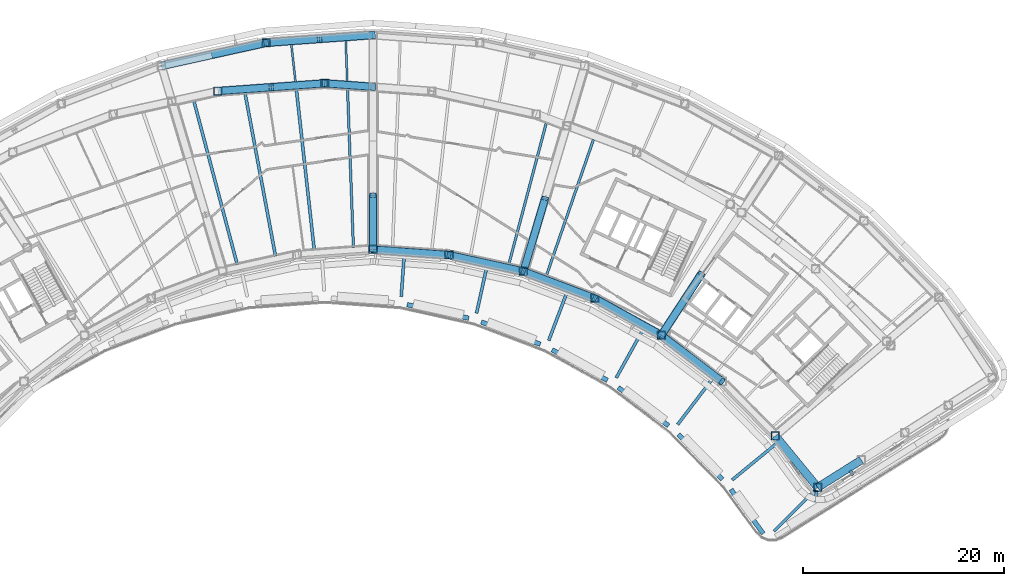
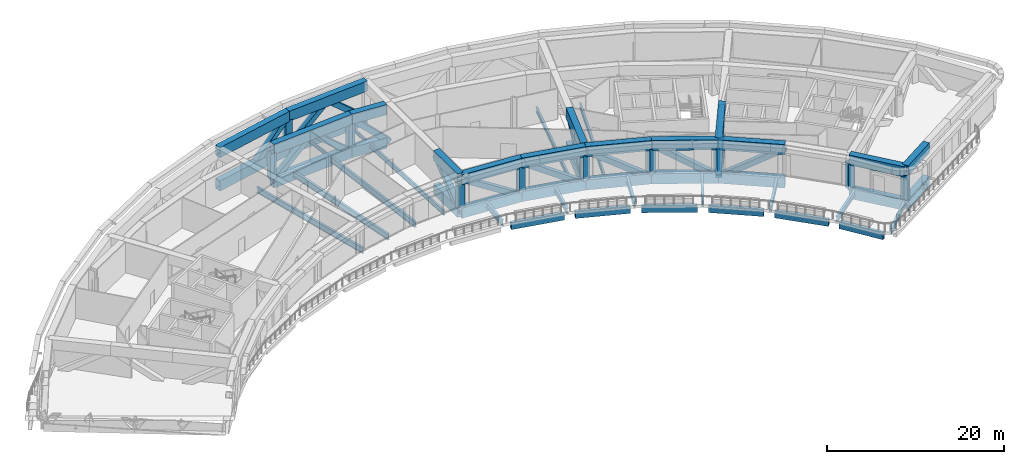
# One storey, part 3 of 25: 51 beams, 24 members.
"""IFC4 building model written with IfcOpenShell, lengths in metres."""

from ifc_helpers import new_model, si_unit, direction, frame, origin, origin_2d, place, context, subcontext, project, spatial, hollow_rectangle, i_section, extrude, material, material_profile, profile_set, type_object, element, save


model = new_model("IFC4")

# Units and contexts
model_context = context("Model", 3, precision=1e-05, world=origin(), true_north=direction((0.0, 1.0)))
body_context = subcontext(model_context, "Body", "Model", "MODEL_VIEW")
ifc_project = project(units=[si_unit("LENGTHUNIT", "METRE"), si_unit("AREAUNIT", "SQUARE_METRE"), si_unit("VOLUMEUNIT", "CUBIC_METRE"), si_unit("PLANEANGLEUNIT", "RADIAN"), si_unit("MASSUNIT", "GRAM", prefix="KILO")], contexts=[model_context])

# Site, building, storey
site_placement = place(None, origin())
site = spatial("IfcSite", under=ifc_project, at=site_placement, CompositionType="ELEMENT")
building_placement = place(site_placement, origin())
building = spatial("IfcBuilding", under=site, at=building_placement, Name="Tuul Gate Civic Tower", CompositionType="ELEMENT")
storey_placement = place(building_placement, frame((0.0, 0.0, 60.89990234375)))
storey = spatial("IfcBuildingStorey", under=building, at=storey_placement, Name="Plant and refuge floor 2", CompositionType="ELEMENT", Elevation=60.89990234375)

# Beams
ifc_material_1 = material(Name="Steel S355", Category="steel")
ifc_material_profile_1 = material_profile(ifc_material_1, i_section(OverallWidth=0.199951171875, OverallDepth=0.5, WebThickness=0.010009765625, FlangeThickness=0.01611328125, at=origin_2d()), Name="PG500x200x10x16")
ifc_profile_set_1 = profile_set([ifc_material_profile_1], Name="Steel S355")
beam_type_1 = type_object("IfcBeamType", Name="STR-FLOOR BEAM-PG500x200x10x16", PredefinedType="BEAM", material=ifc_profile_set_1)
beam_1_placement = place(storey_placement, frame((2.24365234375, 14.08642578125, -0.64990234375), z_axis=(-0.037020522982, 0.999314505488, 0.0), x_axis=(-0.999314505488, -0.037020522982, 0.0)))
element("IfcBeam", 1, at=beam_1_placement, inside=storey, type_object=beam_type_1, Name="Floor beam", PredefinedType="BEAM", context=body_context, shape_type="SweptSolid", body=[
    extrude(i_section(OverallWidth=0.199951171875, OverallDepth=0.5, WebThickness=0.010009765625, FlangeThickness=0.01611328125, at=origin_2d()), origin(), (0.0, 0.0, 1.0), 4.075439453125),
])
beam_2_placement = place(storey_placement, frame((-2.908935546875, 14.038330078125, -0.64990234375), z_axis=(-0.110831522051, 0.993839209188, 0.0), x_axis=(-0.993839209188, -0.110831522051, 0.0)))
element("IfcBeam", 2, at=beam_2_placement, inside=storey, type_object=beam_type_1, Name="Floor beam", PredefinedType="BEAM", context=body_context, shape_type="SweptSolid", body=[
    extrude(i_section(OverallWidth=0.199951171875, OverallDepth=0.5, WebThickness=0.010009765625, FlangeThickness=0.01611328125, at=origin_2d()), origin(), (0.0, 0.0, 1.0), 3.75146484375),
])
ifc_material_2 = material(Name="Steel S355", Category="steel")
ifc_material_profile_2 = material_profile(ifc_material_2, i_section(OverallWidth=0.25, OverallDepth=0.64990234375, WebThickness=0.011962890625, FlangeThickness=0.02001953125, at=origin_2d()), Name="PG650x250x12x20")
ifc_profile_set_2 = profile_set([ifc_material_profile_2], Name="Steel S355")
beam_type_2 = type_object("IfcBeamType", Name="STR-FLOOR BEAM-PG650x250x12x20", PredefinedType="BEAM", material=ifc_profile_set_2)
beam_3_placement = place(storey_placement, frame((22.062744140625, -5.31494140625, -0.724853515625), z_axis=(0.326913836025, 0.945054148616, 0.0), x_axis=(-0.945054148616, 0.326913836025, 0.0)))
element("IfcBeam", 3, at=beam_3_placement, inside=storey, type_object=beam_type_2, Name="Floor beam", PredefinedType="BEAM", context=body_context, shape_type="SweptSolid", body=[
    extrude(i_section(OverallWidth=0.25, OverallDepth=0.64990234375, WebThickness=0.011962890625, FlangeThickness=0.02001953125, at=origin_2d()), origin(), (0.0, 0.0, 1.0), 14.4072265625),
])
beam_4_placement = place(storey_placement, frame((18.333740234375, -4.15087890625, -0.724853515625), z_axis=(0.256157152864, 0.966635149907, 0.0), x_axis=(-0.966635149907, 0.256157152864, 0.0)))
element("IfcBeam", 4, at=beam_4_placement, inside=storey, type_object=beam_type_2, Name="Floor beam", PredefinedType="BEAM", context=body_context, shape_type="SweptSolid", body=[
    extrude(i_section(OverallWidth=0.25, OverallDepth=0.64990234375, WebThickness=0.011962890625, FlangeThickness=0.02001953125, at=origin_2d()), origin(), (0.0, 0.0, 1.0), 14.708984375),
])
beam_5_placement = place(storey_placement, frame((2.85546875, -2.439697265625, -0.724853515625), z_axis=(-0.037006527755, 0.999315023856, 0.0), x_axis=(-0.999315023856, -0.037006527755, 0.0)))
element("IfcBeam", 5, at=beam_5_placement, inside=storey, type_object=beam_type_2, Name="Floor beam", PredefinedType="BEAM", context=body_context, shape_type="SweptSolid", body=[
    extrude(i_section(OverallWidth=0.25, OverallDepth=0.64990234375, WebThickness=0.011962890625, FlangeThickness=0.02001953125, at=origin_2d()), origin(), (0.0, 0.0, 1.0), 15.833251953125),
])
ifc_material_3 = material(Name="Steel S355", Category="steel")
ifc_material_profile_3 = material_profile(ifc_material_3, i_section(OverallWidth=0.300048828125, OverallDepth=0.800048828125, WebThickness=0.013916015625, FlangeThickness=0.02490234375, at=origin_2d()), Name="PG800x300x14x25")
ifc_profile_set_3 = profile_set([ifc_material_profile_3], Name="Steel S355")
beam_type_3 = type_object("IfcBeamType", Name="STR-FLOOR BEAM-PG800x300x14x25", PredefinedType="BEAM", material=ifc_profile_set_3)
beam_6_placement = place(storey_placement, frame((-1.040771484375, -2.72216796875, -0.7998046875), z_axis=(-0.110789599913, 0.99384388339, 0.0), x_axis=(-0.99384388339, -0.110789599913, 0.0)))
element("IfcBeam", 6, at=beam_6_placement, inside=storey, type_object=beam_type_3, Name="Floor beam", PredefinedType="BEAM", context=body_context, shape_type="SweptSolid", body=[
    extrude(i_section(OverallWidth=0.300048828125, OverallDepth=0.800048828125, WebThickness=0.013916015625, FlangeThickness=0.02490234375, at=origin_2d()), origin(), (0.0, 0.0, 1.0), 16.163818359375),
])
beam_7_placement = place(storey_placement, frame((-4.902099609375, -3.310546875, -0.7998046875), z_axis=(-0.18398151895, 0.98292970282, 0.0), x_axis=(-0.98292970282, -0.18398151895, 0.0)))
element("IfcBeam", 7, at=beam_7_placement, inside=storey, type_object=beam_type_3, Name="Floor beam", PredefinedType="BEAM", context=body_context, shape_type="SweptSolid", body=[
    extrude(i_section(OverallWidth=0.300048828125, OverallDepth=0.800048828125, WebThickness=0.013916015625, FlangeThickness=0.02490234375, at=origin_2d()), origin(), (0.0, 0.0, 1.0), 16.564697265625),
])
beam_8_placement = place(storey_placement, frame((-8.717041015625, -4.151123046875, -0.7998046875), z_axis=(-0.2561494253, 0.966637197669, 0.0), x_axis=(-0.966637197669, -0.2561494253, 0.0)))
element("IfcBeam", 8, at=beam_8_placement, inside=storey, type_object=beam_type_3, Name="Floor beam", PredefinedType="BEAM", context=body_context, shape_type="SweptSolid", body=[
    extrude(i_section(OverallWidth=0.300048828125, OverallDepth=0.800048828125, WebThickness=0.013916015625, FlangeThickness=0.02490234375, at=origin_2d()), origin(), (0.0, 0.0, 1.0), 16.9541015625),
])
beam_9_placement = place(storey_placement, frame((7.618896484375, -7.357666015625, -0.7998046875), z_axis=(0.07231455279, 0.997381875439, 0.0), x_axis=(-0.997381875439, 0.07231455279, 0.0)))
element("IfcBeam", 9, at=beam_9_placement, inside=storey, type_object=beam_type_3, Name="Terrace beam", PredefinedType="BEAM", context=body_context, shape_type="SweptSolid", body=[
    extrude(i_section(OverallWidth=0.300048828125, OverallDepth=0.800048828125, WebThickness=0.013916015625, FlangeThickness=0.02490234375, at=origin_2d()), origin(), (0.0, 0.0, 1.0), 4.193115234375),
])
beam_10_placement = place(storey_placement, frame((15.125732421875, -9.005126953125, -0.7998046875), z_axis=(0.215102410076, 0.976591497597, 0.0), x_axis=(-0.976591497597, 0.215102410076, 0.0)))
element("IfcBeam", 10, at=beam_10_placement, inside=storey, type_object=beam_type_3, Name="Terrace beam", PredefinedType="BEAM", context=body_context, shape_type="SweptSolid", body=[
    extrude(i_section(OverallWidth=0.300048828125, OverallDepth=0.800048828125, WebThickness=0.013916015625, FlangeThickness=0.02490234375, at=origin_2d()), origin(), (0.0, 0.0, 1.0), 4.780517578125),
])
beam_11_placement = place(storey_placement, frame((22.31689453125, -11.717041015625, -0.7998046875), z_axis=(0.353783211892, 0.935327450139, 0.0), x_axis=(-0.935327450139, 0.353783211892, 0.0)))
element("IfcBeam", 11, at=beam_11_placement, inside=storey, type_object=beam_type_3, Name="Terrace beam", PredefinedType="BEAM", context=body_context, shape_type="SweptSolid", body=[
    extrude(i_section(OverallWidth=0.300048828125, OverallDepth=0.800048828125, WebThickness=0.013916015625, FlangeThickness=0.02490234375, at=origin_2d()), origin(), (0.0, 0.0, 1.0), 5.248046875),
])
beam_12_placement = place(storey_placement, frame((29.0419921875, -15.4375, -0.7998046875), z_axis=(0.484741093975, 0.874657688363, 0.0), x_axis=(-0.874657688363, 0.484741093975, 0.0)))
element("IfcBeam", 12, at=beam_12_placement, inside=storey, type_object=beam_type_3, Name="Terrace beam", PredefinedType="BEAM", context=body_context, shape_type="SweptSolid", body=[
    extrude(i_section(OverallWidth=0.300048828125, OverallDepth=0.800048828125, WebThickness=0.013916015625, FlangeThickness=0.02490234375, at=origin_2d()), origin(), (0.0, 0.0, 1.0), 5.5869140625),
])
beam_13_placement = place(storey_placement, frame((35.160888671875, -20.087890625, -0.7998046875), z_axis=(0.605794132283, 0.795621435918, 0.0), x_axis=(-0.795621435918, 0.605794132283, 0.0)))
element("IfcBeam", 13, at=beam_13_placement, inside=storey, type_object=beam_type_3, Name="Terrace beam", PredefinedType="BEAM", context=body_context, shape_type="SweptSolid", body=[
    extrude(i_section(OverallWidth=0.300048828125, OverallDepth=0.800048828125, WebThickness=0.013916015625, FlangeThickness=0.02490234375, at=origin_2d()), origin(), (0.0, 0.0, 1.0), 5.788818359375),
])
beam_14_placement = place(storey_placement, frame((40.58349609375, -25.613525390625, -0.7998046875), z_axis=(0.773019536513, 0.634382216151, 0.0), x_axis=(-0.634382216151, 0.773019536513, 0.0)))
element("IfcBeam", 14, at=beam_14_placement, inside=storey, type_object=beam_type_3, Name="Terrace beam", PredefinedType="BEAM", context=body_context, shape_type="SweptSolid", body=[
    extrude(i_section(OverallWidth=0.300048828125, OverallDepth=0.800048828125, WebThickness=0.013916015625, FlangeThickness=0.02490234375, at=origin_2d()), origin(), (0.0, 0.0, 1.0), 5.816650390625),
])
beam_15_placement = place(storey_placement, frame((44.760498046875, -30.70849609375, -0.7998046875), z_axis=(0.707106781187, 0.707106781187, 0.0), x_axis=(-0.707106781187, 0.707106781187, 0.0)))
element("IfcBeam", 15, at=beam_15_placement, inside=storey, type_object=beam_type_3, Name="Terrace beam", PredefinedType="BEAM", context=body_context, shape_type="SweptSolid", body=[
    extrude(i_section(OverallWidth=0.300048828125, OverallDepth=0.800048828125, WebThickness=0.013916015625, FlangeThickness=0.02490234375, at=origin_2d()), origin(), (0.0, 0.0, 1.0), 5.849853515625),
])
beam_16_placement = place(storey_placement, frame((48.785400390625, -27.7998046875, -0.7998046875), z_axis=(0.219260212271, 0.975666418052, 0.0), x_axis=(-0.975666418052, 0.219260212271, 0.0)))
element("IfcBeam", 16, at=beam_16_placement, inside=storey, type_object=beam_type_3, Name="Terrace beam", PredefinedType="BEAM", context=body_context, shape_type="SweptSolid", body=[
    extrude(i_section(OverallWidth=0.300048828125, OverallDepth=0.800048828125, WebThickness=0.013916015625, FlangeThickness=0.02490234375, at=origin_2d()), origin(), (0.0, 0.0, 1.0), 1.17578125),
])
beam_17_placement = place(storey_placement, frame((52.6396484375, -25.14892578125, -0.7998046875), z_axis=(-0.53295287026, 0.846144927351, 0.0), x_axis=(-0.846144927351, -0.53295287026, 0.0)))
element("IfcBeam", 17, at=beam_17_placement, inside=storey, type_object=beam_type_3, Name="Terrace beam", PredefinedType="BEAM", context=body_context, shape_type="SweptSolid", body=[
    extrude(i_section(OverallWidth=0.300048828125, OverallDepth=0.800048828125, WebThickness=0.013916015625, FlangeThickness=0.02490234375, at=origin_2d()), origin(), (0.0, 0.0, 1.0), 0.556640625),
])
ifc_material_4 = material(Name="Steel S355", Category="steel")
ifc_material_profile_4 = material_profile(ifc_material_4, hollow_rectangle(XDim=0.449951171875, YDim=0.89990234375, WallThickness=0.02490234375, at=origin_2d()), Name="BOX900x450x25")
ifc_profile_set_4 = profile_set([ifc_material_profile_4], Name="Steel S355")
beam_type_4 = type_object("IfcBeamType", Name="STR-SPANDREL BEAM-BOX900x450x25", PredefinedType="BEAM", material=ifc_profile_set_4)
beam_18_placement = place(storey_placement, frame((8.206787109375, -8.14599609375, -0.849853515625), z_axis=(0.976570802394, -0.215196347349, 0.0), x_axis=(0.215196347349, 0.976570802394, 0.0)))
element("IfcBeam", 18, at=beam_18_placement, inside=storey, type_object=beam_type_4, Name="Terrace edge beam", PredefinedType="BEAM", context=body_context, shape_type="SweptSolid", body=[
    extrude(hollow_rectangle(XDim=0.449951171875, YDim=0.89990234375, WallThickness=0.02490234375, at=origin_2d()), origin(), (0.0, 0.0, 1.0), 6.2919921875),
])
beam_19_placement = place(storey_placement, frame((15.593994140625, -9.869873046875, -0.849853515625), z_axis=(0.93536086851, -0.353694848225, 0.0), x_axis=(0.353694848225, 0.93536086851, 0.0)))
element("IfcBeam", 19, at=beam_19_placement, inside=storey, type_object=beam_type_4, Name="Terrace edge beam", PredefinedType="BEAM", context=body_context, shape_type="SweptSolid", body=[
    extrude(hollow_rectangle(XDim=0.449951171875, YDim=0.89990234375, WallThickness=0.02490234375, at=origin_2d()), origin(), (0.0, 0.0, 1.0), 6.291748046875),
])
beam_20_placement = place(storey_placement, frame((22.655517578125, -12.64013671875, -0.849853515625), z_axis=(0.874588873098, -0.484865242158, 0.0), x_axis=(0.484865242158, 0.874588873098, 0.0)))
element("IfcBeam", 20, at=beam_20_placement, inside=storey, type_object=beam_type_4, Name="Terrace edge beam", PredefinedType="BEAM", context=body_context, shape_type="SweptSolid", body=[
    extrude(hollow_rectangle(XDim=0.449951171875, YDim=0.89990234375, WallThickness=0.02490234375, at=origin_2d()), origin(), (0.0, 0.0, 1.0), 6.2919921875),
])
beam_21_placement = place(storey_placement, frame((29.244140625, -16.399658203125, -0.849853515625), z_axis=(0.795606278915, -0.605814038259, 0.0), x_axis=(0.605814038259, 0.795606278915, 0.0)))
element("IfcBeam", 21, at=beam_21_placement, inside=storey, type_object=beam_type_4, Name="Terrace edge beam", PredefinedType="BEAM", context=body_context, shape_type="SweptSolid", body=[
    extrude(hollow_rectangle(XDim=0.449951171875, YDim=0.89990234375, WallThickness=0.02490234375, at=origin_2d()), origin(), (0.0, 0.0, 1.0), 6.29150390625),
])
beam_22_placement = place(storey_placement, frame((35.221923828125, -21.069091796875, -0.849853515625), z_axis=(0.700028343012, -0.714115060043, 0.0), x_axis=(0.714115060043, 0.700028343012, 0.0)))
element("IfcBeam", 22, at=beam_22_placement, inside=storey, type_object=beam_type_4, Name="Terrace edge beam", PredefinedType="BEAM", context=body_context, shape_type="SweptSolid", body=[
    extrude(hollow_rectangle(XDim=0.449951171875, YDim=0.89990234375, WallThickness=0.02490234375, at=origin_2d()), origin(), (0.0, 0.0, 1.0), 6.291259765625),
])
beam_23_placement = place(storey_placement, frame((40.46435546875, -26.55078125, -0.849853515625), z_axis=(0.589850421812, -0.807512526149, 0.0), x_axis=(0.807512526149, 0.589850421812, 0.0)))
element("IfcBeam", 23, at=beam_23_placement, inside=storey, type_object=beam_type_4, Name="Terrace edge beam", PredefinedType="BEAM", context=body_context, shape_type="SweptSolid", body=[
    extrude(hollow_rectangle(XDim=0.449951171875, YDim=0.89990234375, WallThickness=0.02490234375, at=origin_2d()), origin(), (0.0, 0.0, 1.0), 5.452392578125),
])
ifc_material_5 = material(Name="Steel S460", Category="steel")
ifc_material_profile_5 = material_profile(ifc_material_5, hollow_rectangle(XDim=0.800048828125, YDim=1.39990234375, WallThickness=0.0400390625, at=origin_2d()), Name="BOX1400x800x40")
ifc_profile_set_5 = profile_set([ifc_material_profile_5], Name="Steel S460")
beam_type_5 = type_object("IfcBeamType", Name="STR-TRANSFER TRUSS CHORD-BOX1400x800x40", PredefinedType="BEAM", material=ifc_profile_set_5)
for number, where, z_axis, x_axis, name in (
    (24, (4.80810546875, 2.750732421875, -1.099853515625), (0.0, -1.0, 0.0), (1.0, 0.0, 0.0), "Radial truss bottom chord"),
    (25, (4.80810546875, 2.750732421875, 3.5), (0.0, -1.0, 0.0), (1.0, 0.0, 0.0), "Radial truss top chord"),
):
    element("IfcBeam", number, at=place(storey_placement, frame(where, z_axis=z_axis, x_axis=x_axis)), inside=storey, type_object=beam_type_5, Name=name, PredefinedType="BEAM", context=body_context, shape_type="SweptSolid", body=[
        extrude(hollow_rectangle(XDim=0.800048828125, YDim=1.39990234375, WallThickness=0.0400390625, at=origin_2d()), origin(), (0.0, 0.0, 1.0), 5.399658203125),
    ])
for number, where, z_axis, x_axis, name in (
    (26, (37.526123046875, -5.0849609375, -1.099853515625), (-0.546756363816, -0.837291752394, 0.0), (0.837291752394, -0.546756363816, 0.0), "Radial truss bottom chord"),
    (27, (37.526123046875, -5.0849609375, 3.5), (-0.546756363816, -0.837291752394, 0.0), (0.837291752394, -0.546756363816, 0.0), "Radial truss top chord"),
):
    element("IfcBeam", number, at=place(storey_placement, frame(where, z_axis=z_axis, x_axis=x_axis)), inside=storey, type_object=beam_type_5, Name=name, PredefinedType="BEAM", context=body_context, shape_type="SweptSolid", body=[
        extrude(hollow_rectangle(XDim=0.800048828125, YDim=1.39990234375, WallThickness=0.0400390625, at=origin_2d()), origin(), (0.0, 0.0, 1.0), 7.2998046875),
    ])
for number, where, z_axis, x_axis, name in (
    (28, (21.953369140625, 2.425048828125, -1.099853515625), (-0.285237724507, -0.958456801592, 0.0), (0.958456801592, -0.285237724507, 0.0), "Radial truss bottom chord"),
    (29, (21.953369140625, 2.425048828125, 3.5), (-0.285237724507, -0.958456801592, 0.0), (0.958456801592, -0.285237724507, 0.0), "Radial truss top chord"),
):
    element("IfcBeam", number, at=place(storey_placement, frame(where, z_axis=z_axis, x_axis=x_axis)), inside=storey, type_object=beam_type_5, Name=name, PredefinedType="BEAM", context=body_context, shape_type="SweptSolid", body=[
        extrude(hollow_rectangle(XDim=0.800048828125, YDim=1.39990234375, WallThickness=0.0400390625, at=origin_2d()), origin(), (0.0, 0.0, 1.0), 7.570556640625),
    ])
for number, where, z_axis, x_axis, name in (
    (30, (-5.841064453125, 17.93505859375, -1.099853515625), (-0.976562731161, -0.215232971702, 0.0), (0.215232971702, -0.976562731161, 0.0), "Belt truss bottom chord"),
    (31, (-5.841064453125, 17.93505859375, 3.5), (-0.976562731161, -0.215232971702, 0.0), (0.215232971702, -0.976562731161, 0.0), "Belt truss top chord"),
):
    element("IfcBeam", number, at=place(storey_placement, frame(where, z_axis=z_axis, x_axis=x_axis)), inside=storey, type_object=beam_type_5, Name=name, PredefinedType="BEAM", context=body_context, shape_type="SweptSolid", body=[
        extrude(hollow_rectangle(XDim=0.800048828125, YDim=1.39990234375, WallThickness=0.0400390625, at=origin_2d()), origin(), (0.0, 0.0, 1.0), 10.67724609375),
    ])
for number, where, z_axis, x_axis, name in (
    (32, (4.80810546875, 18.70703125, -1.099853515625), (-0.997382812887, -0.072301622099, 0.0), (0.072301622099, -0.997382812887, 0.0), "Belt truss bottom chord"),
    (33, (4.80810546875, 18.70703125, 3.5), (-0.997382812887, -0.072301622099, 0.0), (0.072301622099, -0.997382812887, 0.0), "Belt truss top chord"),
):
    element("IfcBeam", number, at=place(storey_placement, frame(where, z_axis=z_axis, x_axis=x_axis)), inside=storey, type_object=beam_type_5, Name=name, PredefinedType="BEAM", context=body_context, shape_type="SweptSolid", body=[
        extrude(hollow_rectangle(XDim=0.800048828125, YDim=1.39990234375, WallThickness=0.0400390625, at=origin_2d()), origin(), (0.0, 0.0, 1.0), 10.677001953125),
    ])
for number, where, z_axis, x_axis, name in (
    (34, (4.407958984375, 13.578857421875, -1.099853515625), (-0.99739010278, 0.07220098944, 0.0), (-0.07220098944, -0.99739010278, 0.0), "Belt truss bottom chord"),
    (35, (4.407958984375, 13.578857421875, 3.5), (-0.99739010278, 0.07220098944, 0.0), (-0.07220098944, -0.99739010278, 0.0), "Belt truss top chord"),
):
    element("IfcBeam", number, at=place(storey_placement, frame(where, z_axis=z_axis, x_axis=x_axis)), inside=storey, type_object=beam_type_5, Name=name, PredefinedType="BEAM", context=body_context, shape_type="SweptSolid", body=[
        extrude(hollow_rectangle(XDim=0.800048828125, YDim=1.39990234375, WallThickness=0.0400390625, at=origin_2d()), origin(), (0.0, 0.0, 1.0), 4.41943359375),
    ])
for number, where, z_axis, x_axis, name in (
    (36, (0.0, 13.89794921875, -1.099853515625), (-0.997389285172, -0.072212283061, 0.0), (0.072212283061, -0.997389285172, 0.0), "Belt truss bottom chord"),
    (37, (0.0, 13.89794921875, 3.5), (-0.997389285172, -0.072212283061, 0.0), (0.072212283061, -0.997389285172, 0.0), "Belt truss top chord"),
):
    element("IfcBeam", number, at=place(storey_placement, frame(where, z_axis=z_axis, x_axis=x_axis)), inside=storey, type_object=beam_type_5, Name=name, PredefinedType="BEAM", context=body_context, shape_type="SweptSolid", body=[
        extrude(hollow_rectangle(XDim=0.800048828125, YDim=1.39990234375, WallThickness=0.0400390625, at=origin_2d()), origin(), (0.0, 0.0, 1.0), 10.6767578125),
    ])
for number, where, z_axis, x_axis, name in (
    (38, (19.7939453125, -4.8310546875, -1.099853515625), (0.935323649079, -0.353793260922, 0.0), (0.353793260922, 0.935323649079, 0.0), "Belt truss bottom chord"),
    (39, (19.7939453125, -4.8310546875, 3.5), (0.935323649079, -0.353793260922, 0.0), (0.353793260922, 0.935323649079, 0.0), "Belt truss top chord"),
):
    element("IfcBeam", number, at=place(storey_placement, frame(where, z_axis=z_axis, x_axis=x_axis)), inside=storey, type_object=beam_type_5, Name=name, PredefinedType="BEAM", context=body_context, shape_type="SweptSolid", body=[
        extrude(hollow_rectangle(XDim=0.800048828125, YDim=1.39990234375, WallThickness=0.0400390625, at=origin_2d()), origin(), (0.0, 0.0, 1.0), 7.592041015625),
    ])
for number, where, z_axis, x_axis, name in (
    (40, (4.80810546875, -2.64892578125, -1.099853515625), (0.997381065387, -0.072325724384, 0.0), (0.072325724384, 0.997381065387, 0.0), "Belt truss bottom chord"),
    (41, (4.80810546875, -2.64892578125, 3.5), (0.997381065387, -0.072325724384, 0.0), (0.072325724384, 0.997381065387, 0.0), "Belt truss top chord"),
):
    element("IfcBeam", number, at=place(storey_placement, frame(where, z_axis=z_axis, x_axis=x_axis)), inside=storey, type_object=beam_type_5, Name=name, PredefinedType="BEAM", context=body_context, shape_type="SweptSolid", body=[
        extrude(hollow_rectangle(XDim=0.800048828125, YDim=1.39990234375, WallThickness=0.0400390625, at=origin_2d()), origin(), (0.0, 0.0, 1.0), 7.591552734375),
    ])
for number, where, z_axis, x_axis, name in (
    (42, (12.3798828125, -3.197998046875, -1.099853515625), (0.976590179554, -0.215108394067, 0.0), (0.215108394067, 0.976590179554, 0.0), "Belt truss bottom chord"),
    (43, (12.3798828125, -3.197998046875, 3.5), (0.976590179554, -0.215108394067, 0.0), (0.215108394067, 0.976590179554, 0.0), "Belt truss top chord"),
):
    element("IfcBeam", number, at=place(storey_placement, frame(where, z_axis=z_axis, x_axis=x_axis)), inside=storey, type_object=beam_type_5, Name=name, PredefinedType="BEAM", context=body_context, shape_type="SweptSolid", body=[
        extrude(hollow_rectangle(XDim=0.800048828125, YDim=1.39990234375, WallThickness=0.0400390625, at=origin_2d()), origin(), (0.0, 0.0, 1.0), 7.591796875),
    ])
for number, where, z_axis, x_axis, name in (
    (44, (33.534912109375, -11.197021484375, -1.099853515625), (0.795625835802, -0.605788353638, 0.0), (0.605788353638, 0.795625835802, 0.0), "Belt truss bottom chord"),
    (45, (33.534912109375, -11.197021484375, 3.5), (0.795625835802, -0.605788353638, 0.0), (0.605788353638, 0.795625835802, 0.0), "Belt truss top chord"),
    (46, (26.89501953125, -7.51708984375, -1.099853515625), (0.874654386478, -0.484747051785, 0.0), (0.484747051785, 0.874654386478, 0.0), "Belt truss bottom chord"),
    (47, (26.89501953125, -7.51708984375, 3.5), (0.874654386478, -0.484747051785, 0.0), (0.484747051785, 0.874654386478, 0.0), "Belt truss top chord"),
):
    element("IfcBeam", number, at=place(storey_placement, frame(where, z_axis=z_axis, x_axis=x_axis)), inside=storey, type_object=beam_type_5, Name=name, PredefinedType="BEAM", context=body_context, shape_type="SweptSolid", body=[
        extrude(hollow_rectangle(XDim=0.800048828125, YDim=1.39990234375, WallThickness=0.0400390625, at=origin_2d()), origin(), (0.0, 0.0, 1.0), 7.591552734375),
    ])
for number, where, z_axis, x_axis, name in (
    (48, (44.888916015625, -21.218017578125, -1.099853515625), (0.634390286361, -0.773012913586, 0.0), (0.773012913586, 0.634390286361, 0.0), "Belt truss bottom chord"),
    (49, (44.888916015625, -21.218017578125, 3.5), (0.634390286361, -0.773012913586, 0.0), (0.773012913586, 0.634390286361, 0.0), "Belt truss top chord"),
):
    element("IfcBeam", number, at=place(storey_placement, frame(where, z_axis=z_axis, x_axis=x_axis)), inside=storey, type_object=beam_type_5, Name=name, PredefinedType="BEAM", context=body_context, shape_type="SweptSolid", body=[
        extrude(hollow_rectangle(XDim=0.800048828125, YDim=1.39990234375, WallThickness=0.0400390625, at=origin_2d()), origin(), (0.0, 0.0, 1.0), 6.652099609375),
    ])
for number, where, z_axis, x_axis, name in (
    (50, (49.10888671875, -26.360107421875, -1.099853515625), (0.846178819959, 0.53289905672, 0.0), (-0.53289905672, 0.846178819959, 0.0), "Belt truss bottom chord"),
    (51, (49.10888671875, -26.360107421875, 3.5), (0.846178819959, 0.53289905672, 0.0), (-0.53289905672, 0.846178819959, 0.0), "Belt truss top chord"),
):
    element("IfcBeam", number, at=place(storey_placement, frame(where, z_axis=z_axis, x_axis=x_axis)), inside=storey, type_object=beam_type_5, Name=name, PredefinedType="BEAM", context=body_context, shape_type="SweptSolid", body=[
        extrude(hollow_rectangle(XDim=0.800048828125, YDim=1.39990234375, WallThickness=0.0400390625, at=origin_2d()), origin(), (0.0, 0.0, 1.0), 5.132568359375),
    ])

# Members
ifc_material_6 = material(Name="Steel S355", Category="steel")
ifc_material_profile_6 = material_profile(ifc_material_6, hollow_rectangle(XDim=0.699951171875, YDim=0.699951171875, WallThickness=0.031982421875, at=origin_2d()), Name="BOX700x700x32")
ifc_profile_set_6 = profile_set([ifc_material_profile_6], Name="Steel S355")
member_type_1 = type_object("IfcMemberType", Name="STR-TRANSFER TRUSS DIAGONAL-BOX700x700x32", PredefinedType="BRACE", material=ifc_profile_set_6)
member_1_placement = place(storey_placement, frame((4.80810546875, -2.65283203125, -1.10302734375), z_axis=(0.0, 0.761223121854, 0.648490060644), x_axis=(-1.0, 0.0, 0.0)))
element("IfcMember", 52, at=member_1_placement, inside=storey, type_object=member_type_1, Name="Radial truss web", PredefinedType="BRACE", context=body_context, shape_type="SweptSolid", body=[
    extrude(hollow_rectangle(XDim=0.699951171875, YDim=0.699951171875, WallThickness=0.031982421875, at=origin_2d()), origin(), (0.0, 0.0, 1.0), 7.103271484375),
])
member_2_placement = place(storey_placement, frame((33.53271484375, -11.200439453125, -1.1025390625), z_axis=(0.462565109143, 0.708375249324, 0.533139780872), x_axis=(-0.837296098299, 0.546749708525, 0.0)))
element("IfcMember", 53, at=member_2_placement, inside=storey, type_object=member_type_1, Name="Radial truss web", PredefinedType="BRACE", context=body_context, shape_type="SweptSolid", body=[
    extrude(hollow_rectangle(XDim=0.699951171875, YDim=0.699951171875, WallThickness=0.031982421875, at=origin_2d()), origin(), (0.0, 0.0, 1.0), 8.637939453125),
])
member_3_placement = place(storey_placement, frame((19.792724609375, -4.835205078125, -1.1025390625), z_axis=(0.243764284589, 0.819108558773, 0.519268853777), x_axis=(-0.958457844556, 0.285234219914, 0.0)))
element("IfcMember", 54, at=member_3_placement, inside=storey, type_object=member_type_1, Name="Radial truss web", PredefinedType="BRACE", context=body_context, shape_type="SweptSolid", body=[
    extrude(hollow_rectangle(XDim=0.699951171875, YDim=0.699951171875, WallThickness=0.031982421875, at=origin_2d()), origin(), (0.0, 0.0, 1.0), 8.86865234375),
])
member_4_placement = place(storey_placement, frame((-11.05810546875, 16.78515625, -1.103271484375), z_axis=(0.73979042339, 0.163048646906, 0.652782711324), x_axis=(-0.215232895221, 0.976562748017, 0.0)))
element("IfcMember", 55, at=member_4_placement, inside=storey, type_object=member_type_1, Name="Belt truss web", PredefinedType="BRACE", context=body_context, shape_type="SweptSolid", body=[
    extrude(hollow_rectangle(XDim=0.699951171875, YDim=0.699951171875, WallThickness=0.031982421875, at=origin_2d()), origin(), (0.0, 0.0, 1.0), 7.056884765625),
])
for number, where, z_axis, x_axis, name in (
    (56, (4.811767578125, 18.707275390625, -1.103271484375), (-0.755564320081, -0.054764575031, 0.652781280018), (0.072292037208, -0.997383507662, 0.0), "Belt truss web"),
    (57, (-5.8447265625, 17.934814453125, -1.103271484375), (0.755564320081, 0.054764575031, 0.652781280018), (-0.072292037208, 0.997383507662, 0.0), "Belt truss web"),
):
    element("IfcMember", number, at=place(storey_placement, frame(where, z_axis=z_axis, x_axis=x_axis)), inside=storey, type_object=member_type_1, Name=name, PredefinedType="BRACE", context=body_context, shape_type="SweptSolid", body=[
        extrude(hollow_rectangle(XDim=0.699951171875, YDim=0.699951171875, WallThickness=0.031982421875, at=origin_2d()), origin(), (0.0, 0.0, 1.0), 7.05712890625),
    ])
member_5_placement = place(storey_placement, frame((4.8115234375, 13.549560546875, -1.103271484375), z_axis=(-0.721572348876, 0.052243842934, 0.690365067347), x_axis=(-0.072213747796, -0.997389179122, 0.0)))
element("IfcMember", 58, at=member_5_placement, inside=storey, type_object=member_type_1, Name="Belt truss web", PredefinedType="BRACE", context=body_context, shape_type="SweptSolid", body=[
    extrude(hollow_rectangle(XDim=0.699951171875, YDim=0.699951171875, WallThickness=0.031982421875, at=origin_2d()), origin(), (0.0, 0.0, 1.0), 6.673095703125),
])
for number, where, z_axis, x_axis, name in (
    (59, (0.003662109375, 13.898193359375, -1.103271484375), (-0.755567181279, -0.054695591282, 0.652783751994), (0.072201178155, -0.997390089119, 0.0), "Belt truss web"),
    (60, (-10.65283203125, 13.126708984375, -1.103271484375), (0.755567181279, 0.054695591282, 0.652783751994), (-0.072201178155, 0.997390089119, 0.0), "Belt truss web"),
):
    element("IfcMember", number, at=place(storey_placement, frame(where, z_axis=z_axis, x_axis=x_axis)), inside=storey, type_object=member_type_1, Name=name, PredefinedType="BRACE", context=body_context, shape_type="SweptSolid", body=[
        extrude(hollow_rectangle(XDim=0.699951171875, YDim=0.699951171875, WallThickness=0.031982421875, at=origin_2d()), origin(), (0.0, 0.0, 1.0), 7.056884765625),
    ])
for number, where, z_axis, x_axis, name in (
    (61, (26.89892578125, -7.5185546875, -1.1025390625), (-0.799939352886, 0.302580260756, 0.51821059185), (-0.353790331579, -0.93532475712, 0.0), "Belt truss web"),
    (62, (12.38427734375, -3.1982421875, -1.1025390625), (-0.853014809292, 0.061840139637, 0.518209930682), (-0.07230621457, -0.997382479962, 0.0), "Belt truss web"),
    (63, (19.798095703125, -4.83203125, -1.1025390625), (-0.835224765889, 0.183984614735, 0.518217379086), (-0.215124049035, -0.976586731185, 0.0), "Belt truss web"),
    (64, (33.531494140625, -11.1943359375, -1.1025390625), (0.680447655748, -0.518110559583, 0.518220451), (0.605802197989, 0.795615294543, 0.0), "Belt truss web"),
):
    element("IfcMember", number, at=place(storey_placement, frame(where, z_axis=z_axis, x_axis=x_axis)), inside=storey, type_object=member_type_1, Name=name, PredefinedType="BRACE", context=body_context, shape_type="SweptSolid", body=[
        extrude(hollow_rectangle(XDim=0.699951171875, YDim=0.699951171875, WallThickness=0.031982421875, at=origin_2d()), origin(), (0.0, 0.0, 1.0), 8.88671875),
    ])
member_6_placement = place(storey_placement, frame((33.538818359375, -11.198974609375, -1.1025390625), z_axis=(-0.748043191492, 0.414572196254, 0.518228981971), x_axis=(-0.484742611512, -0.874656847332, 0.0)))
element("IfcMember", 65, at=member_6_placement, inside=storey, type_object=member_type_1, Name="Belt truss web", PredefinedType="BRACE", context=body_context, shape_type="SweptSolid", body=[
    extrude(hollow_rectangle(XDim=0.699951171875, YDim=0.699951171875, WallThickness=0.031982421875, at=origin_2d()), origin(), (0.0, 0.0, 1.0), 8.886474609375),
])
ifc_material_7 = material(Name="Steel S355", Category="steel")
ifc_material_profile_7 = material_profile(ifc_material_7, hollow_rectangle(XDim=0.800048828125, YDim=0.800048828125, WallThickness=0.034912109375, at=origin_2d()), Name="BOX800x800x35")
ifc_profile_set_7 = profile_set([ifc_material_profile_7], Name="Steel S355")
member_type_2 = type_object("IfcMemberType", Name="STR-TRUSS POST-BOX800x800x35", PredefinedType="POST", material=ifc_profile_set_7)
for number, where, z_axis, x_axis, name in (
    (66, (44.888916015625, -21.218017578125, -0.594970703125), (0.0, 0.0, 1.0), (1.0, 0.0, 0.0), "Radial truss post"),
    (67, (4.80810546875, -2.64892578125, -0.594970703125), (0.0, 0.0, 1.0), (1.0, 0.0, 0.0), "Radial truss post"),
    (68, (33.534912109375, -11.197021484375, -0.594970703125), (0.0, 0.0, 1.0), (1.0, 0.0, 0.0), "Radial truss post"),
    (69, (19.7939453125, -4.8310546875, -0.594970703125), (0.0, 0.0, 1.0), (1.0, 0.0, 0.0), "Radial truss post"),
    (70, (-10.64892578125, 13.126953125, -0.594970703125), (0.0, 0.0, 1.0), (1.0, 0.0, 0.0), "Belt truss post"),
    (71, (-5.841064453125, 17.93505859375, -0.594970703125), (0.0, 0.0, 1.0), (1.0, 0.0, 0.0), "Belt truss post"),
    (72, (0.0, 13.89794921875, -0.594970703125), (0.0, 0.0, 1.0), (1.0, 0.0, 0.0), "Belt truss post"),
    (73, (26.89501953125, -7.51708984375, -0.594970703125), (0.0, 0.0, 1.0), (1.0, 0.0, 0.0), "Belt truss post"),
    (74, (12.3798828125, -3.197998046875, -0.594970703125), (0.0, 0.0, 1.0), (1.0, 0.0, 0.0), "Belt truss post"),
    (75, (49.10888671875, -26.360107421875, -0.594970703125), (0.0, 0.0, 1.0), (1.0, 0.0, 0.0), "Belt truss post"),
):
    element("IfcMember", number, at=place(storey_placement, frame(where, z_axis=z_axis, x_axis=x_axis)), inside=storey, type_object=member_type_2, Name=name, PredefinedType="POST", context=body_context, shape_type="SweptSolid", body=[
        extrude(hollow_rectangle(XDim=0.800048828125, YDim=0.800048828125, WallThickness=0.034912109375, at=origin_2d()), origin(), (0.0, 0.0, 1.0), 3.590087890625),
    ])

save(model, "model.ifc")
